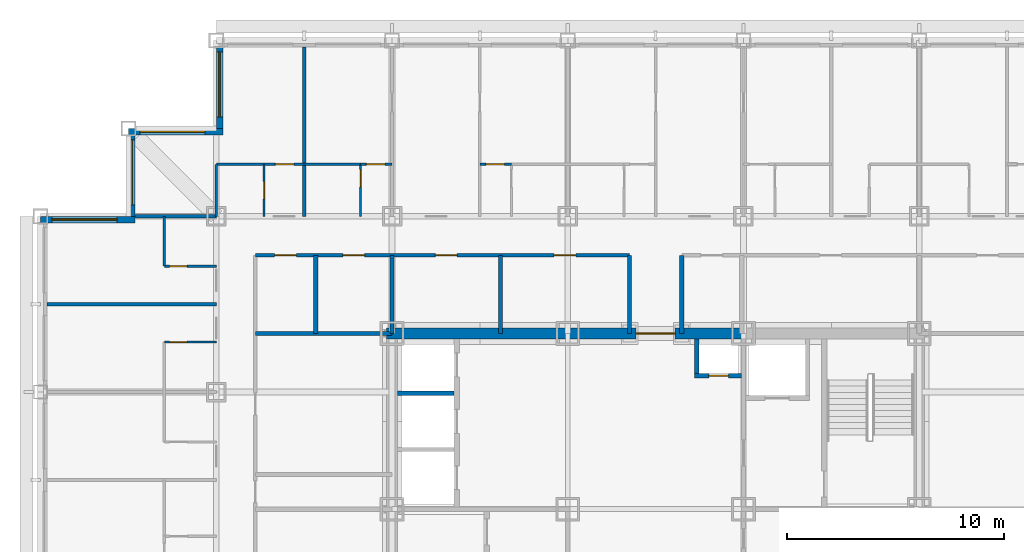
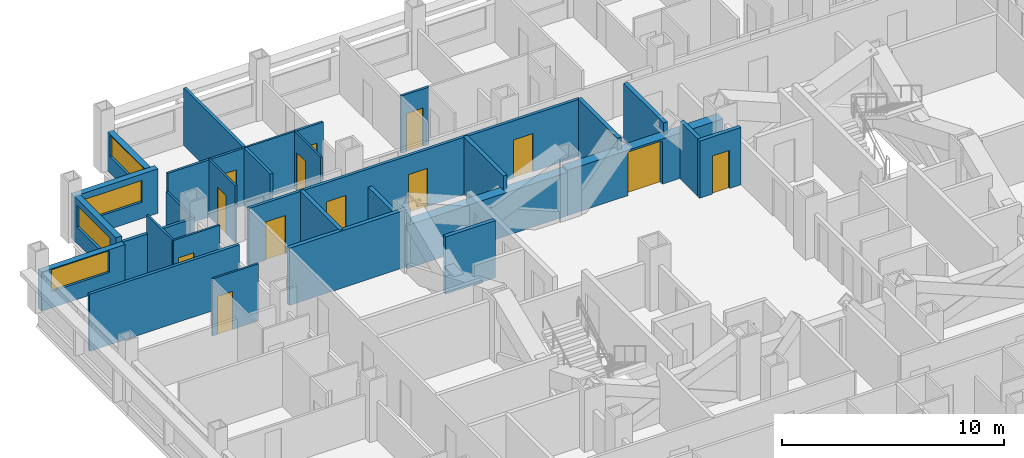
# One storey, part 10 of 15: 29 walls, 13 doors, 4 windows, 17 openings.
"""IFC4 building model written with IfcOpenShell, lengths in metres."""

from ifc_helpers import new_model, si_unit, direction, frame, frame_2d, origin, place, context, subcontext, project, spatial, rectangle, extrude, material, layer, layer_set, type_object, element, fill, save


model = new_model("IFC4")

# Units and contexts
model_context = context("Model", 3, precision=1e-05, world=origin(), true_north=direction((0.0, 1.0)))
body_context = subcontext(model_context, "Body", "Model", "MODEL_VIEW")
ifc_project = project(units=[si_unit("LENGTHUNIT", "METRE"), si_unit("AREAUNIT", "SQUARE_METRE"), si_unit("VOLUMEUNIT", "CUBIC_METRE"), si_unit("PLANEANGLEUNIT", "RADIAN"), si_unit("MASSUNIT", "GRAM", prefix="KILO")], contexts=[model_context])

# Site, building, storey
site_placement = place(None, origin())
site = spatial("IfcSite", under=ifc_project, at=site_placement, CompositionType="ELEMENT")
building_placement = place(site_placement, origin())
building = spatial("IfcBuilding", under=site, at=building_placement, Name="Kopane Lantern Tower", CompositionType="ELEMENT")
storey_placement = place(building_placement, frame((0.0, 0.0, 154.39990234375)))
storey = spatial("IfcBuildingStorey", under=building, at=storey_placement, Name="L40", CompositionType="ELEMENT", Elevation=154.39990234375)

# Wall, opening, door
ifc_material_1 = material(Name="Gypsum board on steel studs", Category="steel")
ifc_layer_1 = layer(ifc_material_1, 0.1201171875)
ifc_layer_set_1 = layer_set([ifc_layer_1], Name="APARTMENT INTERNAL WALL 120")
wall_type_1 = type_object("IfcWallType", Name="APARTMENT INTERNAL WALL 120", PredefinedType="PARTITIONING", material=ifc_layer_set_1)
wall_1_placement = place(storey_placement, frame((8.10009765625, 48.300048828125, 0.0), z_axis=(0.0, 0.0, 1.0), x_axis=(1.0, 0.0, 0.0)))
wall_1 = element("IfcWall", 1, at=wall_1_placement, inside=storey, type_object=wall_type_1, Name="Apartment Internal Wall 120 L40", PredefinedType="PARTITIONING", context=body_context, shape_type="SweptSolid", body=[
    extrude(rectangle(XDim=4.0498046875, YDim=0.1201171875, at=frame_2d((2.02490234375, 0.0))), origin(), (0.0, 0.0, 1.0), 3.150146484375),
])
opening_1_placement = place(wall_1_placement, frame((2.72509765625, 0.0, 0.0)))
opening_1 = element("IfcOpeningElement", 2, at=opening_1_placement, cuts=wall_1, Name="Opening L40-091", PredefinedType="OPENING", context=body_context, shape_type="SweptSolid", body=[
    extrude(rectangle(XDim=0.85009765625, YDim=2.10009765625, at=frame_2d((0.425048828125, 1.050048828125))), frame((0.0, 0.070068359375, 0.0), z_axis=(0.0, -1.0, 0.0), x_axis=(1.0, 0.0, 0.0)), (0.0, 0.0, 1.0), 0.14013671875),
])
ifc_material_2 = material(Name="Timber door set", Category="wood")
door_type_1 = type_object("IfcDoorType", Name="DOOR D4 850x2100", OperationType="SINGLE_SWING_LEFT", PredefinedType="DOOR", material=ifc_material_2)
door_1_placement = place(opening_1_placement, origin())
door_1 = element("IfcDoor", 3, at=door_1_placement, inside=storey, type_object=door_type_1, Name="Door L40-091", OperationType="SINGLE_SWING_LEFT", OverallHeight=2.10009765625, OverallWidth=0.85009765625, PredefinedType="DOOR", context=body_context, shape_type="SweptSolid", body=[
    extrude(rectangle(XDim=0.85009765625, YDim=2.10009765625, at=frame_2d((0.425048828125, 1.050048828125))), frame((0.0, 0.02490234375, 0.0), z_axis=(0.0, -1.0, 0.0), x_axis=(1.0, 0.0, 0.0)), (0.0, 0.0, 1.0), 0.050048828125),
])
fill(opening_1, door_1)

wall_2_placement = place(storey_placement, frame((14.739990234375, 48.300048828125, 0.0), z_axis=(0.0, 0.0, 1.0), x_axis=(1.0, 0.0, 0.0)))
wall_2 = element("IfcWall", 4, at=wall_2_placement, inside=storey, type_object=wall_type_1, Name="Apartment Internal Wall 120 L40", PredefinedType="PARTITIONING", context=body_context, shape_type="SweptSolid", body=[
    extrude(rectangle(XDim=1.4599609375, YDim=0.1201171875, at=frame_2d((0.72998046875, 0.0))), origin(), (0.0, 0.0, 1.0), 3.150146484375),
])
opening_2_placement = place(wall_2_placement, frame((0.27490234375, 0.0, 0.0)))
opening_2 = element("IfcOpeningElement", 5, at=opening_2_placement, cuts=wall_2, Name="Opening L40-095", PredefinedType="OPENING", context=body_context, shape_type="SweptSolid", body=[
    extrude(rectangle(XDim=0.85009765625, YDim=2.10009765625, at=frame_2d((0.425048828125, 1.050048828125))), frame((0.0, 0.070068359375, 0.0), z_axis=(0.0, -1.0, 0.0), x_axis=(1.0, 0.0, 0.0)), (0.0, 0.0, 1.0), 0.14013671875),
])
door_2_placement = place(opening_2_placement, origin())
door_2 = element("IfcDoor", 6, at=door_2_placement, inside=storey, type_object=door_type_1, Name="Door L40-095", OperationType="SINGLE_SWING_RIGHT", OverallHeight=2.10009765625, OverallWidth=0.85009765625, PredefinedType="DOOR", context=body_context, shape_type="SweptSolid", body=[
    extrude(rectangle(XDim=0.85009765625, YDim=2.10009765625, at=frame_2d((0.425048828125, 1.050048828125))), frame((0.0, 0.02490234375, 0.0), z_axis=(0.0, -1.0, 0.0), x_axis=(1.0, 0.0, 0.0)), (0.0, 0.0, 1.0), 0.050048828125),
])
fill(opening_2, door_2)

wall_3_placement = place(storey_placement, frame((20.25, 48.300048828125, 0.0), z_axis=(0.0, 0.0, 1.0), x_axis=(1.0, 0.0, 0.0)))
wall_3 = element("IfcWall", 7, at=wall_3_placement, inside=storey, type_object=wall_type_1, Name="Apartment Internal Wall 120 L40", PredefinedType="PARTITIONING", context=body_context, shape_type="SweptSolid", body=[
    extrude(rectangle(XDim=1.4599609375, YDim=0.1201171875, at=frame_2d((0.72998046875, 0.0))), origin(), (0.0, 0.0, 1.0), 3.150146484375),
])
opening_3_placement = place(wall_3_placement, frame((0.27490234375, 0.0, 0.0)))
opening_3 = element("IfcOpeningElement", 8, at=opening_3_placement, cuts=wall_3, Name="Opening L40-096", PredefinedType="OPENING", context=body_context, shape_type="SweptSolid", body=[
    extrude(rectangle(XDim=0.85009765625, YDim=2.10009765625, at=frame_2d((0.425048828125, 1.050048828125))), frame((0.0, 0.070068359375, 0.0), z_axis=(0.0, -1.0, 0.0), x_axis=(1.0, 0.0, 0.0)), (0.0, 0.0, 1.0), 0.14013671875),
])
door_3_placement = place(opening_3_placement, origin())
door_3 = element("IfcDoor", 9, at=door_3_placement, inside=storey, type_object=door_type_1, Name="Door L40-096", OperationType="SINGLE_SWING_LEFT", OverallHeight=2.10009765625, OverallWidth=0.85009765625, PredefinedType="DOOR", context=body_context, shape_type="SweptSolid", body=[
    extrude(rectangle(XDim=0.85009765625, YDim=2.10009765625, at=frame_2d((0.425048828125, 1.050048828125))), frame((0.0, 0.02490234375, 0.0), z_axis=(0.0, -1.0, 0.0), x_axis=(1.0, 0.0, 0.0)), (0.0, 0.0, 1.0), 0.050048828125),
])
fill(opening_3, door_3)

# Wall
ifc_material_3 = material(Name="Moisture-resistant board on steel studs", Category="steel")
ifc_layer_2 = layer(ifc_material_3, 0.10009765625)
ifc_layer_set_2 = layer_set([ifc_layer_2], Name="BATHROOM WALL 100")
wall_type_2 = type_object("IfcWallType", Name="BATHROOM WALL 100", PredefinedType="PARTITIONING", material=ifc_layer_set_2)
wall_4_placement = place(storey_placement, frame((12.14990234375, 48.300048828125, 0.0), z_axis=(0.0, 0.0, 1.0), x_axis=(1.0, 0.0, 0.0)))
element("IfcWall", 10, at=wall_4_placement, inside=storey, type_object=wall_type_2, Name="Bathroom Wall 100 L40", PredefinedType="PARTITIONING", context=body_context, shape_type="SweptSolid", body=[
    extrude(rectangle(XDim=2.60009765625, YDim=0.10009765625, at=frame_2d((1.300048828125, 0.0))), origin(), (0.0, 0.0, 1.0), 3.150146484375),
])

# Wall, opening, door
wall_5_placement = place(storey_placement, frame((14.75, 45.89990234375, 0.0), z_axis=(0.0, 0.0, 1.0), x_axis=(0.0, 1.0, 0.0)))
wall_5 = element("IfcWall", 11, at=wall_5_placement, inside=storey, type_object=wall_type_2, Name="Bathroom Wall 100 L40", PredefinedType="PARTITIONING", context=body_context, shape_type="SweptSolid", body=[
    extrude(rectangle(XDim=2.400146484375, YDim=0.10009765625, at=frame_2d((1.2001953125, 0.0))), origin(), (0.0, 0.0, 1.0), 3.150146484375),
])
opening_4_placement = place(wall_5_placement, frame((1.35009765625, 0.0, 0.0)))
opening_4 = element("IfcOpeningElement", 12, at=opening_4_placement, cuts=wall_5, Name="Opening L40-038", PredefinedType="OPENING", context=body_context, shape_type="SweptSolid", body=[
    extrude(rectangle(XDim=0.800048828125, YDim=2.10009765625, at=frame_2d((0.39990234375, 1.050048828125))), frame((0.0, 0.06005859375, 0.0), z_axis=(0.0, -1.0, 0.0), x_axis=(1.0, 0.0, 0.0)), (0.0, 0.0, 1.0), 0.1201171875),
])
ifc_material_4 = material(Name="Timber door set", Category="wood")
door_type_2 = type_object("IfcDoorType", Name="DOOR D2 800x2100", OperationType="SINGLE_SWING_LEFT", PredefinedType="DOOR", material=ifc_material_4)
door_4_placement = place(opening_4_placement, origin())
door_4 = element("IfcDoor", 13, at=door_4_placement, inside=storey, type_object=door_type_2, Name="Door L40-038", OperationType="SINGLE_SWING_LEFT", OverallHeight=2.10009765625, OverallWidth=0.800048828125, PredefinedType="DOOR", context=body_context, shape_type="SweptSolid", body=[
    extrude(rectangle(XDim=0.800048828125, YDim=2.10009765625, at=frame_2d((0.39990234375, 1.050048828125))), frame((0.0, 0.02490234375, 0.0), z_axis=(0.0, -1.0, 0.0), x_axis=(1.0, 0.0, 0.0)), (0.0, 0.0, 1.0), 0.050048828125),
])
fill(opening_4, door_4)

wall_6_placement = place(storey_placement, frame((8.10009765625, 40.10009765625, 0.0), z_axis=(0.0, 0.0, 1.0), x_axis=(-1.0, 0.0, 0.0)))
wall_6 = element("IfcWall", 14, at=wall_6_placement, inside=storey, type_object=wall_type_2, Name="Bathroom Wall 100 L40", PredefinedType="PARTITIONING", context=body_context, shape_type="SweptSolid", body=[
    extrude(rectangle(XDim=2.400146484375, YDim=0.10009765625, at=frame_2d((1.2001953125, 0.0))), origin(), (0.0, 0.0, 1.0), 3.150146484375),
])
opening_5_placement = place(wall_6_placement, frame((1.35009765625, 0.0, 0.0)))
opening_5 = element("IfcOpeningElement", 15, at=opening_5_placement, cuts=wall_6, Name="Opening L40-059", PredefinedType="OPENING", context=body_context, shape_type="SweptSolid", body=[
    extrude(rectangle(XDim=0.800048828125, YDim=2.10009765625, at=frame_2d((0.39990234375, 1.050048828125))), frame((0.0, 0.06005859375, 0.0), z_axis=(0.0, -1.0, 0.0), x_axis=(1.0, 0.0, 0.0)), (0.0, 0.0, 1.0), 0.1201171875),
])
door_5_placement = place(opening_5_placement, origin())
door_5 = element("IfcDoor", 16, at=door_5_placement, inside=storey, type_object=door_type_2, Name="Door L40-059", OperationType="SINGLE_SWING_RIGHT", OverallHeight=2.10009765625, OverallWidth=0.800048828125, PredefinedType="DOOR", context=body_context, shape_type="SweptSolid", body=[
    extrude(rectangle(XDim=0.800048828125, YDim=2.10009765625, at=frame_2d((0.39990234375, 1.050048828125))), frame((0.0, 0.02490234375, 0.0), z_axis=(0.0, -1.0, 0.0), x_axis=(1.0, 0.0, 0.0)), (0.0, 0.0, 1.0), 0.050048828125),
])
fill(opening_5, door_5)

# Wall
wall_7_placement = place(storey_placement, frame((5.699951171875, 43.60009765625, 0.0), z_axis=(0.0, 0.0, 1.0), x_axis=(0.0, 1.0, 0.0)))
element("IfcWall", 17, at=wall_7_placement, inside=storey, type_object=wall_type_2, Name="Bathroom Wall 100 L40", PredefinedType="PARTITIONING", context=body_context, shape_type="SweptSolid", body=[
    extrude(rectangle(XDim=2.2998046875, YDim=0.10009765625, at=frame_2d((1.14990234375, 0.0))), origin(), (0.0, 0.0, 1.0), 3.150146484375),
])

# Wall, opening, door
wall_8_placement = place(storey_placement, frame((8.10009765625, 43.60009765625, 0.0), z_axis=(0.0, 0.0, 1.0), x_axis=(-1.0, 0.0, 0.0)))
wall_8 = element("IfcWall", 18, at=wall_8_placement, inside=storey, type_object=wall_type_2, Name="Bathroom Wall 100 L40", PredefinedType="PARTITIONING", context=body_context, shape_type="SweptSolid", body=[
    extrude(rectangle(XDim=2.400146484375, YDim=0.10009765625, at=frame_2d((1.2001953125, 0.0))), origin(), (0.0, 0.0, 1.0), 3.150146484375),
])
opening_6_placement = place(wall_8_placement, frame((1.35009765625, 0.0, 0.0)))
opening_6 = element("IfcOpeningElement", 19, at=opening_6_placement, cuts=wall_8, Name="Opening L40-061", PredefinedType="OPENING", context=body_context, shape_type="SweptSolid", body=[
    extrude(rectangle(XDim=0.800048828125, YDim=2.10009765625, at=frame_2d((0.39990234375, 1.050048828125))), frame((0.0, 0.06005859375, 0.0), z_axis=(0.0, -1.0, 0.0), x_axis=(1.0, 0.0, 0.0)), (0.0, 0.0, 1.0), 0.1201171875),
])
door_6_placement = place(opening_6_placement, origin())
door_6 = element("IfcDoor", 20, at=door_6_placement, inside=storey, type_object=door_type_2, Name="Door L40-061", OperationType="SINGLE_SWING_LEFT", OverallHeight=2.10009765625, OverallWidth=0.800048828125, PredefinedType="DOOR", context=body_context, shape_type="SweptSolid", body=[
    extrude(rectangle(XDim=0.800048828125, YDim=2.10009765625, at=frame_2d((0.39990234375, 1.050048828125))), frame((0.0, 0.02490234375, 0.0), z_axis=(0.0, -1.0, 0.0), x_axis=(1.0, 0.0, 0.0)), (0.0, 0.0, 1.0), 0.050048828125),
])
fill(opening_6, door_6)

wall_9_placement = place(storey_placement, frame((10.300048828125, 45.89990234375, 0.0), z_axis=(0.0, 0.0, 1.0), x_axis=(0.0, 1.0, 0.0)))
wall_9 = element("IfcWall", 21, at=wall_9_placement, inside=storey, type_object=wall_type_2, Name="Bathroom Wall 100 L40", PredefinedType="PARTITIONING", context=body_context, shape_type="SweptSolid", body=[
    extrude(rectangle(XDim=2.400146484375, YDim=0.10009765625, at=frame_2d((1.2001953125, 0.0))), origin(), (0.0, 0.0, 1.0), 3.150146484375),
])
opening_7_placement = place(wall_9_placement, frame((0.800048828125, 0.0, 0.0)))
opening_7 = element("IfcOpeningElement", 22, at=opening_7_placement, cuts=wall_9, Name="Opening L40-089", PredefinedType="OPENING", context=body_context, shape_type="SweptSolid", body=[
    extrude(rectangle(XDim=0.800048828125, YDim=2.10009765625, at=frame_2d((0.39990234375, 1.050048828125))), frame((0.0, 0.06005859375, 0.0), z_axis=(0.0, -1.0, 0.0), x_axis=(1.0, 0.0, 0.0)), (0.0, 0.0, 1.0), 0.1201171875),
])
door_7_placement = place(opening_7_placement, origin())
door_7 = element("IfcDoor", 23, at=door_7_placement, inside=storey, type_object=door_type_2, Name="Door L40-089", OperationType="SINGLE_SWING_LEFT", OverallHeight=2.10009765625, OverallWidth=0.800048828125, PredefinedType="DOOR", context=body_context, shape_type="SweptSolid", body=[
    extrude(rectangle(XDim=0.800048828125, YDim=2.10009765625, at=frame_2d((0.39990234375, 1.050048828125))), frame((0.0, 0.02490234375, 0.0), z_axis=(0.0, -1.0, 0.0), x_axis=(1.0, 0.0, 0.0)), (0.0, 0.0, 1.0), 0.050048828125),
])
fill(opening_7, door_7)

# Walls
wall_10_placement = place(storey_placement, frame((8.10009765625, 45.89990234375, 0.0), z_axis=(0.0, 0.0, 1.0), x_axis=(0.0, 1.0, 0.0)))
element("IfcWall", 24, at=wall_10_placement, inside=storey, type_object=wall_type_2, Name="Bathroom Wall 100 L40", PredefinedType="PARTITIONING", context=body_context, shape_type="SweptSolid", body=[
    extrude(rectangle(XDim=2.400146484375, YDim=0.10009765625, at=frame_2d((1.2001953125, 0.0))), origin(), (0.0, 0.0, 1.0), 2.150146484375),
])
ifc_material_5 = material(Name="Gypsum shaft wall EI 120", Category="gypsum")
ifc_layer_3 = layer(ifc_material_5, 0.5)
ifc_layer_set_3 = layer_set([ifc_layer_3], Name="CORE PERIMETER WALL 500 EI 120")
wall_type_3 = type_object("IfcWallType", Name="CORE PERIMETER WALL 500 EI 120", PredefinedType="SOLIDWALL", material=ifc_layer_set_3)
wall_11_placement = place(storey_placement, frame((15.949951171875, 40.5, 0.0), z_axis=(0.0, 0.0, 1.0), x_axis=(1.0, 0.0, 0.0)))
element("IfcWall", 25, at=wall_11_placement, inside=storey, type_object=wall_type_3, Name="Core shaft wall L40 PNW", PredefinedType="SOLIDWALL", context=body_context, shape_type="SweptSolid", body=[
    extrude(rectangle(XDim=8.35009765625, YDim=0.5, at=frame_2d((4.175048828125, 0.0))), origin(), (0.0, 0.0, 1.0), 2.38037109375),
])

# Wall, opening, door
wall_12_placement = place(storey_placement, frame((24.300048828125, 40.5, 0.0), z_axis=(0.0, 0.0, 1.0), x_axis=(1.0, 0.0, 0.0)))
wall_12 = element("IfcWall", 26, at=wall_12_placement, inside=storey, type_object=wall_type_3, Name="Core shaft wall L40 PN", PredefinedType="SOLIDWALL", context=body_context, shape_type="SweptSolid", body=[
    extrude(rectangle(XDim=8.099853515625, YDim=0.5, at=frame_2d((4.0498046875, 0.0))), origin(), (0.0, 0.0, 1.0), 2.5),
])
opening_8_placement = place(wall_12_placement, frame((3.14990234375, 0.0, 0.0)))
opening_8 = element("IfcOpeningElement", 27, at=opening_8_placement, cuts=wall_12, Name="Opening 40.CE-N", PredefinedType="OPENING", context=body_context, shape_type="SweptSolid", body=[
    extrude(rectangle(XDim=1.800048828125, YDim=2.39990234375, at=frame_2d((0.89990234375, 1.199951171875))), frame((0.0, 0.260009765625, 0.0), z_axis=(0.0, -1.0, 0.0), x_axis=(1.0, 0.0, 0.0)), (0.0, 0.0, 1.0), 0.52001953125),
])
ifc_material_6 = material(Name="Steel door set", Category="steel")
door_type_3 = type_object("IfcDoorType", Name="CORE ENTRY DOOR 1800x2400 FD60S", OperationType="DOUBLE_DOOR_SINGLE_SWING", PredefinedType="DOOR", material=ifc_material_6)
door_8_placement = place(opening_8_placement, origin())
door_8 = element("IfcDoor", 28, at=door_8_placement, inside=storey, type_object=door_type_3, Name="Core entry door L40 north", OperationType="DOUBLE_DOOR_SINGLE_SWING", OverallHeight=2.39990234375, OverallWidth=1.800048828125, PredefinedType="DOOR", context=body_context, shape_type="SweptSolid", body=[
    extrude(rectangle(XDim=1.800048828125, YDim=2.39990234375, at=frame_2d((0.89990234375, 1.199951171875))), frame((0.0, 0.02490234375, 0.0), z_axis=(0.0, -1.0, 0.0), x_axis=(1.0, 0.0, 0.0)), (0.0, 0.0, 1.0), 0.050048828125),
])
fill(opening_8, door_8)

# Wall, openings, doors
ifc_material_7 = material(Name="Gypsum board on steel studs", Category="steel")
ifc_layer_4 = layer(ifc_material_7, 0.14990234375)
ifc_layer_set_4 = layer_set([ifc_layer_4], Name="CORRIDOR WALL 150 EI 60")
wall_type_4 = type_object("IfcWallType", Name="CORRIDOR WALL 150 EI 60", PredefinedType="PARTITIONING", material=ifc_layer_set_4)
wall_13_placement = place(storey_placement, frame((27.139892578125, 44.10009765625, 0.0), z_axis=(0.0, 0.0, 1.0), x_axis=(-1.0, 0.0, 0.0)))
wall_13 = element("IfcWall", 29, at=wall_13_placement, inside=storey, type_object=wall_type_4, Name="Corridor Wall 150 Ei 60 L40", PredefinedType="PARTITIONING", context=body_context, shape_type="SweptSolid", body=[
    extrude(rectangle(XDim=17.239990234375, YDim=0.14990234375, at=frame_2d((8.6201171875, 0.0))), origin(), (0.0, 0.0, 1.0), 3.150146484375),
])
opening_9_placement = place(wall_13_placement, frame((15.35107421875, 0.0, 0.0)))
opening_9 = element("IfcOpeningElement", 30, at=opening_9_placement, cuts=wall_13, Name="Opening L40-016", PredefinedType="OPENING", context=body_context, shape_type="SweptSolid", body=[
    extrude(rectangle(XDim=1.0, YDim=2.10009765625, at=frame_2d((0.5, 1.050048828125))), frame((0.0, 0.0849609375, 0.0), z_axis=(0.0, -1.0, 0.0), x_axis=(1.0, 0.0, 0.0)), (0.0, 0.0, 1.0), 0.169921875),
])
opening_10_placement = place(wall_13_placement, frame((12.201171875, 0.0, 0.0)))
opening_10 = element("IfcOpeningElement", 31, at=opening_10_placement, cuts=wall_13, Name="Opening L40-017", PredefinedType="OPENING", context=body_context, shape_type="SweptSolid", body=[
    extrude(rectangle(XDim=1.0, YDim=2.10009765625, at=frame_2d((0.5, 1.050048828125))), frame((0.0, 0.0849609375, 0.0), z_axis=(0.0, -1.0, 0.0), x_axis=(1.0, 0.0, 0.0)), (0.0, 0.0, 1.0), 0.169921875),
])
opening_11_placement = place(wall_13_placement, frame((7.93994140625, 0.0, 0.0)))
opening_11 = element("IfcOpeningElement", 32, at=opening_11_placement, cuts=wall_13, Name="Opening L40-018", PredefinedType="OPENING", context=body_context, shape_type="SweptSolid", body=[
    extrude(rectangle(XDim=1.0, YDim=2.10009765625, at=frame_2d((0.5, 1.050048828125))), frame((0.0, 0.0849609375, 0.0), z_axis=(0.0, -1.0, 0.0), x_axis=(1.0, 0.0, 0.0)), (0.0, 0.0, 1.0), 0.169921875),
])
opening_12_placement = place(wall_13_placement, frame((2.465087890625, 0.0, 0.0)))
opening_12 = element("IfcOpeningElement", 33, at=opening_12_placement, cuts=wall_13, Name="Opening L40-019", PredefinedType="OPENING", context=body_context, shape_type="SweptSolid", body=[
    extrude(rectangle(XDim=1.0, YDim=2.10009765625, at=frame_2d((0.5, 1.050048828125))), frame((0.0, 0.0849609375, 0.0), z_axis=(0.0, -1.0, 0.0), x_axis=(1.0, 0.0, 0.0)), (0.0, 0.0, 1.0), 0.169921875),
])
ifc_material_8 = material(Name="Steel door set", Category="steel")
door_type_4 = type_object("IfcDoorType", Name="DOOR D5 1000x2100 FD60", OperationType="SINGLE_SWING_LEFT", PredefinedType="DOOR", material=ifc_material_8)
door_9_placement = place(opening_9_placement, origin())
door_9 = element("IfcDoor", 34, at=door_9_placement, inside=storey, type_object=door_type_4, Name="Door L40-016", OperationType="SINGLE_SWING_RIGHT", OverallHeight=2.10009765625, OverallWidth=1.0, PredefinedType="DOOR", context=body_context, shape_type="SweptSolid", body=[
    extrude(rectangle(XDim=1.0, YDim=2.10009765625, at=frame_2d((0.5, 1.050048828125))), frame((0.0, 0.02490234375, 0.0), z_axis=(0.0, -1.0, 0.0), x_axis=(1.0, 0.0, 0.0)), (0.0, 0.0, 1.0), 0.050048828125),
])
fill(opening_9, door_9)
door_10_placement = place(opening_10_placement, origin())
door_10 = element("IfcDoor", 35, at=door_10_placement, inside=storey, type_object=door_type_4, Name="Door L40-017", OperationType="SINGLE_SWING_LEFT", OverallHeight=2.10009765625, OverallWidth=1.0, PredefinedType="DOOR", context=body_context, shape_type="SweptSolid", body=[
    extrude(rectangle(XDim=1.0, YDim=2.10009765625, at=frame_2d((0.5, 1.050048828125))), frame((0.0, 0.02490234375, 0.0), z_axis=(0.0, -1.0, 0.0), x_axis=(1.0, 0.0, 0.0)), (0.0, 0.0, 1.0), 0.050048828125),
])
fill(opening_10, door_10)
door_11_placement = place(opening_11_placement, origin())
door_11 = element("IfcDoor", 36, at=door_11_placement, inside=storey, type_object=door_type_4, Name="Door L40-018", OperationType="SINGLE_SWING_RIGHT", OverallHeight=2.10009765625, OverallWidth=1.0, PredefinedType="DOOR", context=body_context, shape_type="SweptSolid", body=[
    extrude(rectangle(XDim=1.0, YDim=2.10009765625, at=frame_2d((0.5, 1.050048828125))), frame((0.0, 0.02490234375, 0.0), z_axis=(0.0, -1.0, 0.0), x_axis=(1.0, 0.0, 0.0)), (0.0, 0.0, 1.0), 0.050048828125),
])
fill(opening_11, door_11)
door_12_placement = place(opening_12_placement, origin())
door_12 = element("IfcDoor", 37, at=door_12_placement, inside=storey, type_object=door_type_4, Name="Door L40-019", OperationType="SINGLE_SWING_LEFT", OverallHeight=2.10009765625, OverallWidth=1.0, PredefinedType="DOOR", context=body_context, shape_type="SweptSolid", body=[
    extrude(rectangle(XDim=1.0, YDim=2.10009765625, at=frame_2d((0.5, 1.050048828125))), frame((0.0, 0.02490234375, 0.0), z_axis=(0.0, -1.0, 0.0), x_axis=(1.0, 0.0, 0.0)), (0.0, 0.0, 1.0), 0.050048828125),
])
fill(opening_12, door_12)

# Walls
ifc_material_9 = material(Name="Gypsum board on steel studs", Category="steel")
ifc_layer_5 = layer(ifc_material_9, 0.14990234375)
ifc_layer_set_5 = layer_set([ifc_layer_5], Name="DEMISING WALL 150 EI 60")
wall_type_5 = type_object("IfcWallType", Name="DEMISING WALL 150 EI 60", PredefinedType="PARTITIONING", material=ifc_layer_set_5)
wall_14_placement = place(storey_placement, frame((8.10009765625, 41.85009765625, 0.0), z_axis=(0.0, 0.0, 1.0), x_axis=(-1.0, 0.0, 0.0)))
element("IfcWall", 38, at=wall_14_placement, inside=storey, type_object=wall_type_5, Name="Demising Wall 150 Ei 60 L40", PredefinedType="PARTITIONING", context=body_context, shape_type="SweptSolid", body=[
    extrude(rectangle(XDim=7.800048828125, YDim=0.14990234375, at=frame_2d((3.89990234375, 0.0))), origin(), (0.0, 0.0, 1.0), 3.150146484375),
])
wall_15_placement = place(storey_placement, frame((4.35009765625, 45.89990234375, 0.0), z_axis=(0.0, 0.0, 1.0), x_axis=(1.0, 0.0, 0.0)))
element("IfcWall", 39, at=wall_15_placement, inside=storey, type_object=wall_type_5, Name="Demising Wall 150 Ei 60 L40", PredefinedType="PARTITIONING", context=body_context, shape_type="SweptSolid", body=[
    extrude(rectangle(XDim=3.75, YDim=0.14990234375, at=frame_2d((1.875, 0.0))), origin(), (0.0, 0.0, 1.0), 2.150146484375),
])
wall_16_placement = place(storey_placement, frame((12.14990234375, 45.89990234375, 0.0), z_axis=(0.0, 0.0, 1.0), x_axis=(0.0, 1.0, 0.0)))
element("IfcWall", 40, at=wall_16_placement, inside=storey, type_object=wall_type_5, Name="Demising Wall 150 Ei 60 L40", PredefinedType="PARTITIONING", context=body_context, shape_type="SweptSolid", body=[
    extrude(rectangle(XDim=7.800048828125, YDim=0.14990234375, at=frame_2d((3.89990234375, 0.0))), origin(), (0.0, 0.0, 1.0), 3.150146484375),
])

# Wall, opening, window
ifc_material_10 = material(Name="Terracotta rainscreen on light steel framing", Category="masonry")
ifc_layer_6 = layer(ifc_material_10, 0.300048828125)
ifc_layer_set_6 = layer_set([ifc_layer_6], Name="EXTERNAL WALL EW1 300 TERRACOTTA")
wall_type_6 = type_object("IfcWallType", Name="EXTERNAL WALL EW1 300 TERRACOTTA", PredefinedType="SOLIDWALL", material=ifc_layer_set_6)
wall_17_placement = place(storey_placement, frame((8.25, 53.699951171875, 0.0), z_axis=(0.0, 0.0, 1.0), x_axis=(0.0, -1.0, 0.0)))
wall_17 = element("IfcWall", 41, at=wall_17_placement, inside=storey, type_object=wall_type_6, Name="External wall W L40", PredefinedType="SOLIDWALL", context=body_context, shape_type="SweptSolid", body=[
    extrude(rectangle(XDim=3.75, YDim=0.300048828125, at=frame_2d((1.875, 0.0))), origin(), (0.0, 0.0, 1.0), 2.150146484375),
])
opening_13_placement = place(wall_17_placement, frame((0.22509765625, 0.0, 0.89990234375)))
opening_13 = element("IfcOpeningElement", 42, at=opening_13_placement, cuts=wall_17, Name="Opening WR300120", PredefinedType="OPENING", context=body_context, shape_type="SweptSolid", body=[
    extrude(rectangle(XDim=3.0, YDim=1.199951171875, at=frame_2d((1.5, 0.60009765625))), frame((0.0, 0.159912109375, 0.0), z_axis=(0.0, -1.0, 0.0), x_axis=(1.0, 0.0, 0.0)), (0.0, 0.0, 1.0), 0.320068359375),
])
ifc_material_11 = material(Name="Aluminium and clear glass", Category="aluminium")
window_type = type_object("IfcWindowType", Name="RIBBON WINDOW WR300120 3000x1200", PartitioningType="SINGLE_PANEL", PredefinedType="WINDOW", material=ifc_material_11)
window_1_placement = place(opening_13_placement, origin())
window_1 = element("IfcWindow", 43, at=window_1_placement, inside=storey, type_object=window_type, Name="Window W L40", OverallHeight=1.199951171875, OverallWidth=3.0, PartitioningType="SINGLE_PANEL", PredefinedType="WINDOW", context=body_context, shape_type="SweptSolid", body=[
    extrude(rectangle(XDim=3.0, YDim=1.199951171875, at=frame_2d((1.5, 0.60009765625))), frame((0.0, 0.030029296875, 0.0), z_axis=(0.0, -1.0, 0.0), x_axis=(1.0, 0.0, 0.0)), (0.0, 0.0, 1.0), 0.06005859375),
])
fill(opening_13, window_1)

wall_18_placement = place(storey_placement, frame((8.39990234375, 49.800048828125, 0.0), z_axis=(0.0, 0.0, 1.0), x_axis=(-1.0, 0.0, 0.0)))
wall_18 = element("IfcWall", 44, at=wall_18_placement, inside=storey, type_object=wall_type_6, Name="External wall N L40", PredefinedType="SOLIDWALL", context=body_context, shape_type="SweptSolid", body=[
    extrude(rectangle(XDim=4.349853515625, YDim=0.300048828125, at=frame_2d((2.1748046875, 0.0))), origin(), (0.0, 0.0, 1.0), 2.4501953125),
])
opening_14_placement = place(wall_18_placement, frame((0.824951171875, 0.0, 0.89990234375)))
opening_14 = element("IfcOpeningElement", 45, at=opening_14_placement, cuts=wall_18, Name="Opening WR300120", PredefinedType="OPENING", context=body_context, shape_type="SweptSolid", body=[
    extrude(rectangle(XDim=3.0, YDim=1.199951171875, at=frame_2d((1.5, 0.60009765625))), frame((0.0, 0.159912109375, 0.0), z_axis=(0.0, -1.0, 0.0), x_axis=(1.0, 0.0, 0.0)), (0.0, 0.0, 1.0), 0.320068359375),
])
window_2_placement = place(opening_14_placement, origin())
window_2 = element("IfcWindow", 46, at=window_2_placement, inside=storey, type_object=window_type, Name="Window N L40", OverallHeight=1.199951171875, OverallWidth=3.0, PartitioningType="SINGLE_PANEL", PredefinedType="WINDOW", context=body_context, shape_type="SweptSolid", body=[
    extrude(rectangle(XDim=3.0, YDim=1.199951171875, at=frame_2d((1.5, 0.60009765625))), frame((0.0, 0.030029296875, 0.0), z_axis=(0.0, -1.0, 0.0), x_axis=(1.0, 0.0, 0.0)), (0.0, 0.0, 1.0), 0.06005859375),
])
fill(opening_14, window_2)

wall_19_placement = place(storey_placement, frame((4.199951171875, 49.64990234375, 0.0), z_axis=(0.0, 0.0, 1.0), x_axis=(0.0, -1.0, 0.0)))
wall_19 = element("IfcWall", 47, at=wall_19_placement, inside=storey, type_object=wall_type_6, Name="External wall W L40", PredefinedType="SOLIDWALL", context=body_context, shape_type="SweptSolid", body=[
    extrude(rectangle(XDim=3.75, YDim=0.300048828125, at=frame_2d((1.875, 0.0))), origin(), (0.0, 0.0, 1.0), 2.4501953125),
])
opening_15_placement = place(wall_19_placement, frame((0.22509765625, 0.0, 0.89990234375)))
opening_15 = element("IfcOpeningElement", 48, at=opening_15_placement, cuts=wall_19, Name="Opening WR300120", PredefinedType="OPENING", context=body_context, shape_type="SweptSolid", body=[
    extrude(rectangle(XDim=3.0, YDim=1.199951171875, at=frame_2d((1.5, 0.60009765625))), frame((0.0, 0.159912109375, 0.0), z_axis=(0.0, -1.0, 0.0), x_axis=(1.0, 0.0, 0.0)), (0.0, 0.0, 1.0), 0.320068359375),
])
window_3_placement = place(opening_15_placement, origin())
window_3 = element("IfcWindow", 49, at=window_3_placement, inside=storey, type_object=window_type, Name="Window W L40", OverallHeight=1.199951171875, OverallWidth=3.0, PartitioningType="SINGLE_PANEL", PredefinedType="WINDOW", context=body_context, shape_type="SweptSolid", body=[
    extrude(rectangle(XDim=3.0, YDim=1.199951171875, at=frame_2d((1.5, 0.60009765625))), frame((0.0, 0.030029296875, 0.0), z_axis=(0.0, -1.0, 0.0), x_axis=(1.0, 0.0, 0.0)), (0.0, 0.0, 1.0), 0.06005859375),
])
fill(opening_15, window_3)

wall_20_placement = place(storey_placement, frame((4.35009765625, 45.75, 0.0), z_axis=(0.0, 0.0, 1.0), x_axis=(-1.0, 0.0, 0.0)))
wall_20 = element("IfcWall", 50, at=wall_20_placement, inside=storey, type_object=wall_type_6, Name="External wall N L40", PredefinedType="SOLIDWALL", context=body_context, shape_type="SweptSolid", body=[
    extrude(rectangle(XDim=4.35009765625, YDim=0.300048828125, at=frame_2d((2.175048828125, 0.0))), origin(), (0.0, 0.0, 1.0), 2.150146484375),
])
opening_16_placement = place(wall_20_placement, frame((0.824951171875, 0.0, 0.89990234375)))
opening_16 = element("IfcOpeningElement", 51, at=opening_16_placement, cuts=wall_20, Name="Opening WR300120", PredefinedType="OPENING", context=body_context, shape_type="SweptSolid", body=[
    extrude(rectangle(XDim=3.0, YDim=1.199951171875, at=frame_2d((1.5, 0.60009765625))), frame((0.0, 0.159912109375, 0.0), z_axis=(0.0, -1.0, 0.0), x_axis=(1.0, 0.0, 0.0)), (0.0, 0.0, 1.0), 0.320068359375),
])
window_4_placement = place(opening_16_placement, origin())
window_4 = element("IfcWindow", 52, at=window_4_placement, inside=storey, type_object=window_type, Name="Window N L40", OverallHeight=1.199951171875, OverallWidth=3.0, PartitioningType="SINGLE_PANEL", PredefinedType="WINDOW", context=body_context, shape_type="SweptSolid", body=[
    extrude(rectangle(XDim=3.0, YDim=1.199951171875, at=frame_2d((1.5, 0.60009765625))), frame((0.0, 0.030029296875, 0.0), z_axis=(0.0, -1.0, 0.0), x_axis=(1.0, 0.0, 0.0)), (0.0, 0.0, 1.0), 0.06005859375),
])
fill(opening_16, window_4)

# Walls
ifc_material_12 = material(Name="Concrete masonry", Category="masonry")
ifc_layer_7 = layer(ifc_material_12, 0.199951171875)
ifc_layer_set_7 = layer_set([ifc_layer_7], Name="PLANT ROOM WALL 200 EI 120")
wall_type_7 = type_object("IfcWallType", Name="PLANT ROOM WALL 200 EI 120", PredefinedType="SOLIDWALL", material=ifc_layer_set_7)
wall_21_placement = place(storey_placement, frame((16.199951171875, 40.5, 0.0), z_axis=(0.0, 0.0, 1.0), x_axis=(0.0, 1.0, 0.0)))
element("IfcWall", 53, at=wall_21_placement, inside=storey, type_object=wall_type_7, Name="Plant Room Wall 200 Ei 120 L40", PredefinedType="SOLIDWALL", context=body_context, shape_type="SweptSolid", body=[
    extrude(rectangle(XDim=3.60009765625, YDim=0.199951171875, at=frame_2d((1.800048828125, 0.0))), origin(), (0.0, 0.0, 1.0), 2.150146484375),
])
for number, where, z_axis, x_axis, name in (
    (54, (12.677734375, 44.10009765625, 0.0), (0.0, 0.0, 1.0), (0.0, -1.0, 0.0), "Plant Room Wall 200 Ei 120 L40"),
    (55, (21.199951171875, 44.10009765625, 0.0), (0.0, 0.0, 1.0), (0.0, -1.0, 0.0), "Plant Room Wall 200 Ei 120 L40"),
    (56, (27.14990234375, 40.5, 0.0), (0.0, 0.0, 1.0), (0.0, 1.0, 0.0), "Plant Room Wall 200 Ei 120 L40"),
    (57, (29.550048828125, 40.5, 0.0), (0.0, 0.0, 1.0), (0.0, 1.0, 0.0), "Plant Room Wall 200 Ei 120 L40"),
):
    element("IfcWall", number, at=place(storey_placement, frame(where, z_axis=z_axis, x_axis=x_axis)), inside=storey, type_object=wall_type_7, Name=name, PredefinedType="SOLIDWALL", context=body_context, shape_type="SweptSolid", body=[
        extrude(rectangle(XDim=3.60009765625, YDim=0.199951171875, at=frame_2d((1.800048828125, 0.0))), origin(), (0.0, 0.0, 1.0), 3.150146484375),
    ])
wall_22_placement = place(storey_placement, frame((9.89990234375, 40.5, 0.0), z_axis=(0.0, 0.0, 1.0), x_axis=(1.0, 0.0, 0.0)))
element("IfcWall", 58, at=wall_22_placement, inside=storey, type_object=wall_type_7, Name="Plant Room Wall 200 Ei 120 L40", PredefinedType="SOLIDWALL", context=body_context, shape_type="SweptSolid", body=[
    extrude(rectangle(XDim=6.300048828125, YDim=0.199951171875, at=frame_2d((3.14990234375, 0.0))), origin(), (0.0, 0.0, 1.0), 3.150146484375),
])
ifc_material_13 = material(Name="Gypsum shaft wall EI 120", Category="gypsum")
ifc_layer_8 = layer(ifc_material_13, 0.199951171875)
ifc_layer_set_8 = layer_set([ifc_layer_8], Name="SHAFT WALL 200 EI 120")
wall_type_8 = type_object("IfcWallType", Name="SHAFT WALL 200 EI 120", PredefinedType="SOLIDWALL", material=ifc_layer_set_8)
wall_23_placement = place(storey_placement, frame((16.449951171875, 37.75, 0.0), z_axis=(0.0, 0.0, 1.0), x_axis=(1.0, 0.0, 0.0)))
element("IfcWall", 59, at=wall_23_placement, inside=storey, type_object=wall_type_8, Name="Core shaft wall L40 YLH23", PredefinedType="SOLIDWALL", context=body_context, shape_type="SweptSolid", body=[
    extrude(rectangle(XDim=2.60009765625, YDim=0.199951171875, at=frame_2d((1.300048828125, 0.0))), origin(), (0.0, 0.0, 1.0), 3.150146484375),
])
wall_24_placement = place(storey_placement, frame((30.25, 38.64990234375, 0.0), z_axis=(0.0, 0.0, 1.0), x_axis=(0.0, 1.0, 0.0)))
element("IfcWall", 60, at=wall_24_placement, inside=storey, type_object=wall_type_8, Name="Core shaft wall L40 XRS2", PredefinedType="SOLIDWALL", context=body_context, shape_type="SweptSolid", body=[
    extrude(rectangle(XDim=1.60009765625, YDim=0.199951171875, at=frame_2d((0.800048828125, 0.0))), origin(), (0.0, 0.0, 1.0), 3.150146484375),
])

# Wall, opening, door
wall_25_placement = place(storey_placement, frame((30.14990234375, 38.550048828125, 0.0), z_axis=(0.0, 0.0, 1.0), x_axis=(1.0, 0.0, 0.0)))
wall_25 = element("IfcWall", 61, at=wall_25_placement, inside=storey, type_object=wall_type_8, Name="Core shaft wall L40 YRS2", PredefinedType="SOLIDWALL", context=body_context, shape_type="SweptSolid", body=[
    extrude(rectangle(XDim=2.150146484375, YDim=0.199951171875, at=frame_2d((1.0751953125, 0.0))), origin(), (0.0, 0.0, 1.0), 3.150146484375),
])
opening_17_placement = place(wall_25_placement, frame((0.64990234375, 0.0, 0.0)))
opening_17 = element("IfcOpeningElement", 62, at=opening_17_placement, cuts=wall_25, Name="Opening 40.RS2", PredefinedType="OPENING", context=body_context, shape_type="SweptSolid", body=[
    extrude(rectangle(XDim=0.89990234375, YDim=2.10009765625, at=frame_2d((0.449951171875, 1.050048828125))), frame((0.0, 0.10986328125, 0.0), z_axis=(0.0, -1.0, 0.0), x_axis=(1.0, 0.0, 0.0)), (0.0, 0.0, 1.0), 0.219970703125),
])
ifc_material_14 = material(Name="Steel door set", Category="steel")
door_type_5 = type_object("IfcDoorType", Name="RISER ACCESS DOOR 900x2100 FD60", OperationType="SINGLE_SWING_LEFT", PredefinedType="DOOR", material=ifc_material_14)
door_13_placement = place(opening_17_placement, origin())
door_13 = element("IfcDoor", 63, at=door_13_placement, inside=storey, type_object=door_type_5, Name="Riser access door RS2 L40", OperationType="SINGLE_SWING_LEFT", OverallHeight=2.10009765625, OverallWidth=0.89990234375, PredefinedType="DOOR", context=body_context, shape_type="SweptSolid", body=[
    extrude(rectangle(XDim=0.89990234375, YDim=2.10009765625, at=frame_2d((0.449951171875, 1.050048828125))), frame((0.0, 0.02490234375, 0.0), z_axis=(0.0, -1.0, 0.0), x_axis=(1.0, 0.0, 0.0)), (0.0, 0.0, 1.0), 0.050048828125),
])
fill(opening_17, door_13)

save(model, "model.ifc")
